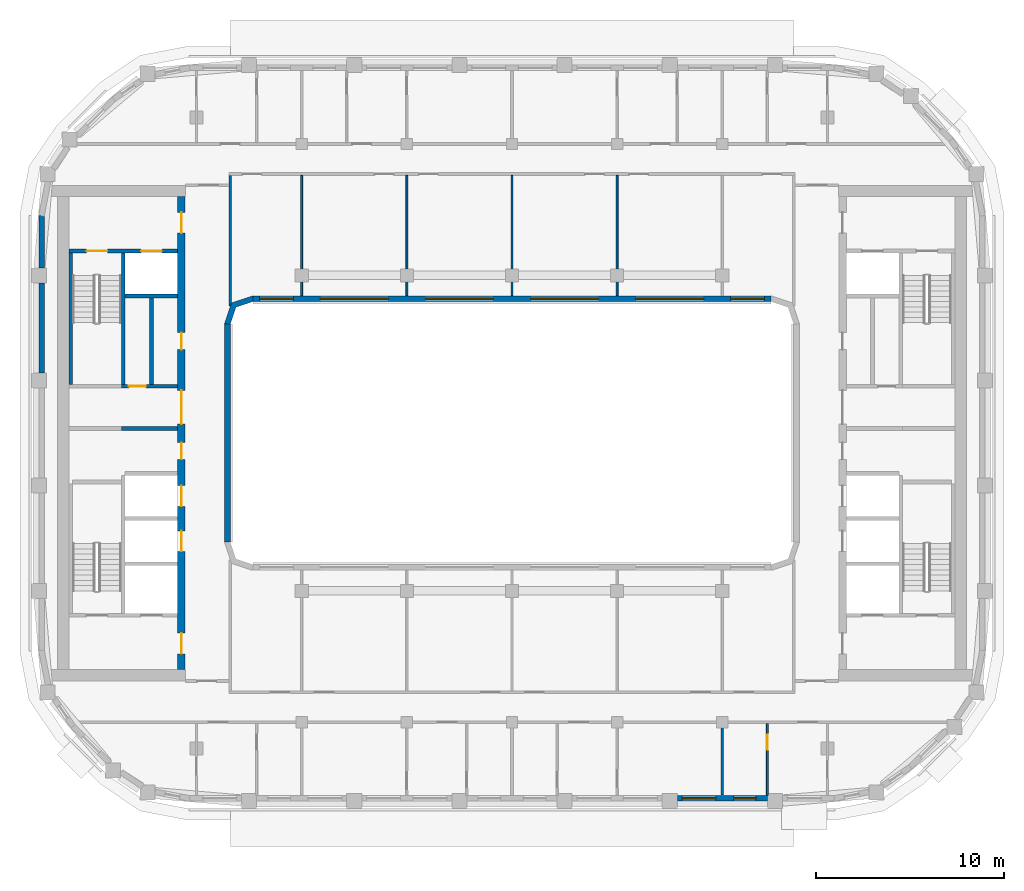
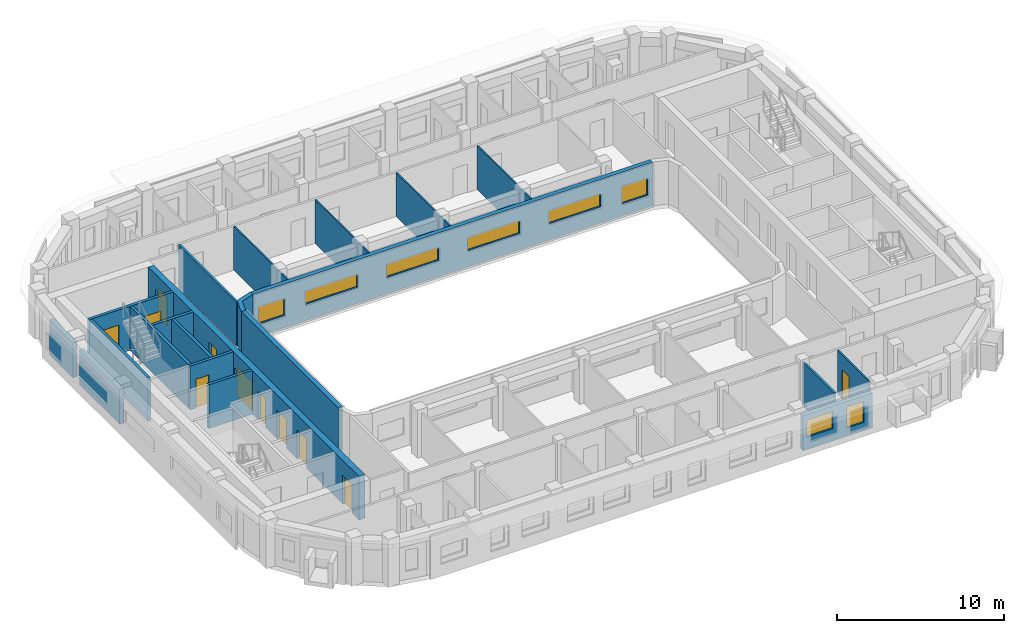
# One storey, part 4 of 15: 21 walls, 11 doors, 8 windows, 19 openings.
"""IFC4 building model written with IfcOpenShell, lengths in metres."""

from ifc_helpers import new_model, si_unit, direction, frame, frame_2d, origin, place, context, subcontext, project, spatial, polyline, rectangle, outline, extrude, material, layer, layer_set, type_object, element, fill, save


model = new_model("IFC4")

# Units and contexts
model_context = context("Model", 3, precision=1e-05, world=origin(), true_north=direction((0.0, 1.0)))
body_context = subcontext(model_context, "Body", "Model", "MODEL_VIEW")
ifc_project = project(units=[si_unit("LENGTHUNIT", "METRE"), si_unit("AREAUNIT", "SQUARE_METRE"), si_unit("VOLUMEUNIT", "CUBIC_METRE"), si_unit("PLANEANGLEUNIT", "RADIAN"), si_unit("MASSUNIT", "GRAM", prefix="KILO")], contexts=[model_context])

# Site, building, storey
site_placement = place(None, origin())
site = spatial("IfcSite", under=ifc_project, at=site_placement, CompositionType="ELEMENT")
building_placement = place(site_placement, origin())
building = spatial("IfcBuilding", under=site, at=building_placement, Name="Kiln Ring Residences", CompositionType="ELEMENT")
storey_placement = place(building_placement, frame((0.0, 0.0, 248.699951171875)))
storey = spatial("IfcBuildingStorey", under=building, at=storey_placement, Name="L64", CompositionType="ELEMENT", Elevation=248.699951171875)

# Walls
ifc_material_1 = material(Name="Gypsum board on steel studs", Category="steel")
ifc_layer_1 = layer(ifc_material_1, 0.199951171875)
ifc_layer_set_1 = layer_set([ifc_layer_1], Name="CORE-PARTITION-200")
wall_type_1 = type_object("IfcWallType", Name="CORE-PARTITION-200", PredefinedType="PARTITIONING", material=ifc_layer_set_1)
wall_1_placement = place(storey_placement, frame((-19.199951171875, 2.60009765625, 0.0), z_axis=(0.0, 0.0, 1.0), x_axis=(0.0, 1.0, 0.0)))
element("IfcWall", 1, at=wall_1_placement, inside=storey, type_object=wall_type_1, Name="Core partition west L64 2", PredefinedType="PARTITIONING", context=body_context, shape_type="SweptSolid", body=[
    extrude(rectangle(XDim=4.599853515625, YDim=0.199951171875, at=frame_2d((2.2998046875, 0.0))), origin(), (0.0, 0.0, 1.0), 3.199951171875),
])
ifc_material_2 = material(Name="Gypsum shaft wall system")
ifc_layer_2 = layer(ifc_material_2, 0.199951171875)
ifc_layer_set_2 = layer_set([ifc_layer_2], Name="CORE-SHAFT-WALL-200")
wall_type_2 = type_object("IfcWallType", Name="CORE-SHAFT-WALL-200", PredefinedType="PARTITIONING", material=ifc_layer_set_2)
wall_2_placement = place(storey_placement, frame((-17.800048828125, 0.25, 0.0), z_axis=(0.0, 0.0, 1.0), x_axis=(-1.0, 0.0, 0.0)))
element("IfcWall", 2, at=wall_2_placement, inside=storey, type_object=wall_type_2, Name="Core partition west L64 6", PredefinedType="PARTITIONING", context=body_context, shape_type="SweptSolid", body=[
    extrude(rectangle(XDim=3.0, YDim=0.199951171875, at=frame_2d((1.5, 0.0))), origin(), (0.0, 0.0, 1.0), 3.199951171875),
])

# Wall, opening, door
wall_3_placement = place(storey_placement, frame((-17.800048828125, 2.5, 0.0), z_axis=(0.0, 0.0, 1.0), x_axis=(-1.0, 0.0, 0.0)))
wall_3 = element("IfcWall", 3, at=wall_3_placement, inside=storey, type_object=wall_type_2, Name="Core partition west L64 7", PredefinedType="PARTITIONING", context=body_context, shape_type="SweptSolid", body=[
    extrude(rectangle(XDim=3.0, YDim=0.199951171875, at=frame_2d((1.5, 0.0))), origin(), (0.0, 0.0, 1.0), 3.199951171875),
])
opening_1_placement = place(wall_3_placement, frame((1.699951171875, 0.0, 0.0)))
opening_1 = element("IfcOpeningElement", 4, at=opening_1_placement, cuts=wall_3, Name="Opening L64-CW06", PredefinedType="OPENING", context=body_context, shape_type="SweptSolid", body=[
    extrude(rectangle(XDim=0.89990234375, YDim=2.10009765625, at=frame_2d((0.449951171875, 1.050048828125))), frame((0.0, 0.10986328125, 0.0), z_axis=(0.0, -1.0, 0.0), x_axis=(1.0, 0.0, 0.0)), (0.0, 0.0, 1.0), 0.219970703125),
])
ifc_material_3 = material(Name="Steel door leaf", Category="steel")
door_type_1 = type_object("IfcDoorType", Name="CORE-DOOR-ROOM", OperationType="SINGLE_SWING_LEFT", PredefinedType="DOOR", material=ifc_material_3)
door_1_placement = place(opening_1_placement, origin())
door_1 = element("IfcDoor", 5, at=door_1_placement, inside=storey, type_object=door_type_1, Name="Cleaner's store L64-CW06", OperationType="SINGLE_SWING_LEFT", OverallHeight=2.10009765625, OverallWidth=0.89990234375, PredefinedType="DOOR", context=body_context, shape_type="SweptSolid", body=[
    extrude(rectangle(XDim=0.89990234375, YDim=2.10009765625, at=frame_2d((0.449951171875, 1.050048828125))), frame((0.0, 0.02490234375, 0.0), z_axis=(0.0, -1.0, 0.0), x_axis=(1.0, 0.0, 0.0)), (0.0, 0.0, 1.0), 0.050048828125),
])
fill(opening_1, door_1)

# Walls
wall_4_placement = place(storey_placement, frame((-17.800048828125, 7.300048828125, 0.0), z_axis=(0.0, 0.0, 1.0), x_axis=(-1.0, 0.0, 0.0)))
element("IfcWall", 6, at=wall_4_placement, inside=storey, type_object=wall_type_2, Name="Core partition west L64 8", PredefinedType="PARTITIONING", context=body_context, shape_type="SweptSolid", body=[
    extrude(rectangle(XDim=2.800048828125, YDim=0.199951171875, at=frame_2d((1.39990234375, 0.0))), origin(), (0.0, 0.0, 1.0), 3.199951171875),
])
ifc_material_4 = material(Name="Concrete C40/50", Category="concrete")
ifc_layer_3 = layer(ifc_material_4, 0.199951171875)
ifc_layer_set_3 = layer_set([ifc_layer_3], Name="CORE-WALL-RC200")
wall_type_3 = type_object("IfcWallType", Name="CORE-WALL-RC200", PredefinedType="SHEAR", material=ifc_layer_set_3)
wall_5_placement = place(storey_placement, frame((-20.699951171875, 2.60009765625, 0.0), z_axis=(0.0, 0.0, 1.0), x_axis=(0.0, 1.0, 0.0)))
element("IfcWall", 7, at=wall_5_placement, inside=storey, type_object=wall_type_3, Name="Core wall west L64 1", PredefinedType="SHEAR", context=body_context, shape_type="SweptSolid", body=[
    extrude(rectangle(XDim=7.0, YDim=0.199951171875, at=frame_2d((3.5, 0.0))), origin(), (0.0, 0.0, 1.0), 3.199951171875),
])

# Wall, openings, doors
wall_6_placement = place(storey_placement, frame((-17.800048828125, 9.699951171875, 0.0), z_axis=(0.0, 0.0, 1.0), x_axis=(-1.0, 0.0, 0.0)))
wall_6 = element("IfcWall", 8, at=wall_6_placement, inside=storey, type_object=wall_type_3, Name="Core wall west L64 9", PredefinedType="SHEAR", context=body_context, shape_type="SweptSolid", body=[
    extrude(rectangle(XDim=5.800048828125, YDim=0.199951171875, at=frame_2d((2.89990234375, 0.0))), origin(), (0.0, 0.0, 1.0), 3.199951171875),
])
opening_2_placement = place(wall_6_placement, frame((0.85009765625, 0.0, 0.0)))
opening_2 = element("IfcOpeningElement", 9, at=opening_2_placement, cuts=wall_6, Name="Opening L64-CW07", PredefinedType="OPENING", context=body_context, shape_type="SweptSolid", body=[
    extrude(rectangle(XDim=1.10009765625, YDim=2.10009765625, at=frame_2d((0.550048828125, 1.050048828125))), frame((0.0, 0.10986328125, 0.0), z_axis=(0.0, -1.0, 0.0), x_axis=(1.0, 0.0, 0.0)), (0.0, 0.0, 1.0), 0.219970703125),
])
opening_3_placement = place(wall_6_placement, frame((3.75, 0.0, 0.0)))
opening_3 = element("IfcOpeningElement", 10, at=opening_3_placement, cuts=wall_6, Name="Opening L64-CW10", PredefinedType="OPENING", context=body_context, shape_type="SweptSolid", body=[
    extrude(rectangle(XDim=1.10009765625, YDim=2.10009765625, at=frame_2d((0.550048828125, 1.050048828125))), frame((0.0, 0.10986328125, 0.0), z_axis=(0.0, -1.0, 0.0), x_axis=(1.0, 0.0, 0.0)), (0.0, 0.0, 1.0), 0.219970703125),
])
ifc_material_5 = material(Name="Steel door leaf", Category="steel")
door_type_2 = type_object("IfcDoorType", Name="CORE-DOOR-LD", OperationType="DOUBLE_DOOR_SLIDING", PredefinedType="DOOR", material=ifc_material_5)
door_2_placement = place(opening_2_placement, origin())
door_2 = element("IfcDoor", 11, at=door_2_placement, inside=storey, type_object=door_type_2, Name="LD W-FF L64-CW07", OperationType="DOUBLE_DOOR_SLIDING", OverallHeight=2.10009765625, OverallWidth=1.10009765625, PredefinedType="DOOR", context=body_context, shape_type="SweptSolid", body=[
    extrude(rectangle(XDim=1.10009765625, YDim=2.10009765625, at=frame_2d((0.550048828125, 1.050048828125))), frame((0.0, 0.02490234375, 0.0), z_axis=(0.0, -1.0, 0.0), x_axis=(1.0, 0.0, 0.0)), (0.0, 0.0, 1.0), 0.050048828125),
])
fill(opening_2, door_2)
ifc_material_6 = material(Name="Steel door leaf", Category="steel")
door_type_3 = type_object("IfcDoorType", Name="CORE-DOOR-STAIR", OperationType="SINGLE_SWING_LEFT", PredefinedType="DOOR", material=ifc_material_6)
door_3_placement = place(opening_3_placement, origin())
door_3 = element("IfcDoor", 12, at=door_3_placement, inside=storey, type_object=door_type_3, Name="Stair W-STN L64-CW10", OperationType="SINGLE_SWING_RIGHT", OverallHeight=2.10009765625, OverallWidth=1.10009765625, PredefinedType="DOOR", context=body_context, shape_type="SweptSolid", body=[
    extrude(rectangle(XDim=1.10009765625, YDim=2.10009765625, at=frame_2d((0.550048828125, 1.050048828125))), frame((0.0, 0.02490234375, 0.0), z_axis=(0.0, -1.0, 0.0), x_axis=(1.0, 0.0, 0.0)), (0.0, 0.0, 1.0), 0.050048828125),
])
fill(opening_3, door_3)

# Wall
wall_7_placement = place(storey_placement, frame((-23.5, 2.60009765625, 0.0), z_axis=(0.0, 0.0, 1.0), x_axis=(0.0, 1.0, 0.0)))
element("IfcWall", 13, at=wall_7_placement, inside=storey, type_object=wall_type_3, Name="Core wall west L64 10", PredefinedType="SHEAR", context=body_context, shape_type="SweptSolid", body=[
    extrude(rectangle(XDim=7.0, YDim=0.199951171875, at=frame_2d((3.5, 0.0))), origin(), (0.0, 0.0, 1.0), 3.199951171875),
])

# Wall, openings, doors
ifc_material_7 = material(Name="Concrete C60/75", Category="concrete")
ifc_layer_4 = layer(ifc_material_7, 0.39990234375)
ifc_layer_set_4 = layer_set([ifc_layer_4], Name="CORE-WALL-RC400")
wall_type_4 = type_object("IfcWallType", Name="CORE-WALL-RC400", PredefinedType="SHEAR", material=ifc_layer_set_4)
wall_8_placement = place(storey_placement, frame((-17.60009765625, -12.60009765625, 0.0), z_axis=(0.0, 0.0, 1.0), x_axis=(0.0, 1.0, 0.0)))
wall_8 = element("IfcWall", 14, at=wall_8_placement, inside=storey, type_object=wall_type_4, Name="Core wall west L64 6", PredefinedType="SHEAR", context=body_context, shape_type="SweptSolid", body=[
    extrude(rectangle(XDim=25.2001953125, YDim=0.39990234375, at=frame_2d((12.60009765625, 0.0))), origin(), (0.0, 0.0, 1.0), 3.199951171875),
])
opening_4_placement = place(wall_8_placement, frame((6.300048828125, 0.0, 0.0)))
opening_4 = element("IfcOpeningElement", 15, at=opening_4_placement, cuts=wall_8, Name="Opening L64-CW02", PredefinedType="OPENING", context=body_context, shape_type="SweptSolid", body=[
    extrude(rectangle(XDim=1.10009765625, YDim=2.10009765625, at=frame_2d((0.550048828125, 1.050048828125))), frame((0.0, 0.2099609375, 0.0), z_axis=(0.0, -1.0, 0.0), x_axis=(1.0, 0.0, 0.0)), (0.0, 0.0, 1.0), 0.419921875),
])
opening_5_placement = place(wall_8_placement, frame((8.699951171875, 0.0, 0.0)))
opening_5 = element("IfcOpeningElement", 16, at=opening_5_placement, cuts=wall_8, Name="Opening L64-CW03", PredefinedType="OPENING", context=body_context, shape_type="SweptSolid", body=[
    extrude(rectangle(XDim=1.10009765625, YDim=2.10009765625, at=frame_2d((0.550048828125, 1.050048828125))), frame((0.0, 0.2099609375, 0.0), z_axis=(0.0, -1.0, 0.0), x_axis=(1.0, 0.0, 0.0)), (0.0, 0.0, 1.0), 0.419921875),
])
opening_6_placement = place(wall_8_placement, frame((11.199951171875, 0.0, 0.0)))
opening_6 = element("IfcOpeningElement", 17, at=opening_6_placement, cuts=wall_8, Name="Opening L64-CW04", PredefinedType="OPENING", context=body_context, shape_type="SweptSolid", body=[
    extrude(rectangle(XDim=0.89990234375, YDim=2.10009765625, at=frame_2d((0.449951171875, 1.050048828125))), frame((0.0, 0.2099609375, 0.0), z_axis=(0.0, -1.0, 0.0), x_axis=(1.0, 0.0, 0.0)), (0.0, 0.0, 1.0), 0.419921875),
])
opening_7_placement = place(wall_8_placement, frame((17.050048828125, 0.0, 0.0)))
opening_7 = element("IfcOpeningElement", 18, at=opening_7_placement, cuts=wall_8, Name="Opening L64-CW05", PredefinedType="OPENING", context=body_context, shape_type="SweptSolid", body=[
    extrude(rectangle(XDim=0.89990234375, YDim=2.10009765625, at=frame_2d((0.449951171875, 1.050048828125))), frame((0.0, 0.2099609375, 0.0), z_axis=(0.0, -1.0, 0.0), x_axis=(1.0, 0.0, 0.0)), (0.0, 0.0, 1.0), 0.419921875),
])
opening_8_placement = place(wall_8_placement, frame((23.25, 0.0, 0.0)))
opening_8 = element("IfcOpeningElement", 19, at=opening_8_placement, cuts=wall_8, Name="Opening L64-CW08", PredefinedType="OPENING", context=body_context, shape_type="SweptSolid", body=[
    extrude(rectangle(XDim=1.10009765625, YDim=2.10009765625, at=frame_2d((0.550048828125, 1.050048828125))), frame((0.0, 0.2099609375, 0.0), z_axis=(0.0, -1.0, 0.0), x_axis=(1.0, 0.0, 0.0)), (0.0, 0.0, 1.0), 0.419921875),
])
opening_9_placement = place(wall_8_placement, frame((0.85009765625, 0.0, 0.0)))
opening_9 = element("IfcOpeningElement", 20, at=opening_9_placement, cuts=wall_8, Name="Opening L64-CW09", PredefinedType="OPENING", context=body_context, shape_type="SweptSolid", body=[
    extrude(rectangle(XDim=1.10009765625, YDim=2.10009765625, at=frame_2d((0.550048828125, 1.050048828125))), frame((0.0, 0.2099609375, 0.0), z_axis=(0.0, -1.0, 0.0), x_axis=(1.0, 0.0, 0.0)), (0.0, 0.0, 1.0), 0.419921875),
])
opening_10_placement = place(wall_8_placement, frame((13.074951171875, 0.0, 0.0)))
opening_10 = element("IfcOpeningElement", 21, at=opening_10_placement, cuts=wall_8, Name="Opening L64-CW12", PredefinedType="OPENING", context=body_context, shape_type="SweptSolid", body=[
    extrude(rectangle(XDim=1.800048828125, YDim=2.10009765625, at=frame_2d((0.89990234375, 1.050048828125))), frame((0.0, 0.2099609375, 0.0), z_axis=(0.0, -1.0, 0.0), x_axis=(1.0, 0.0, 0.0)), (0.0, 0.0, 1.0), 0.419921875),
])
door_4_placement = place(opening_4_placement, origin())
door_4 = element("IfcDoor", 22, at=door_4_placement, inside=storey, type_object=door_type_2, Name="LD W-H1 L64-CW02", OperationType="DOUBLE_DOOR_SLIDING", OverallHeight=2.10009765625, OverallWidth=1.10009765625, PredefinedType="DOOR", context=body_context, shape_type="SweptSolid", body=[
    extrude(rectangle(XDim=1.10009765625, YDim=2.10009765625, at=frame_2d((0.550048828125, 1.050048828125))), frame((0.0, 0.02490234375, 0.0), z_axis=(0.0, -1.0, 0.0), x_axis=(1.0, 0.0, 0.0)), (0.0, 0.0, 1.0), 0.050048828125),
])
fill(opening_4, door_4)
door_5_placement = place(opening_5_placement, origin())
door_5 = element("IfcDoor", 23, at=door_5_placement, inside=storey, type_object=door_type_2, Name="LD W-H2 L64-CW03", OperationType="DOUBLE_DOOR_SLIDING", OverallHeight=2.10009765625, OverallWidth=1.10009765625, PredefinedType="DOOR", context=body_context, shape_type="SweptSolid", body=[
    extrude(rectangle(XDim=1.10009765625, YDim=2.10009765625, at=frame_2d((0.550048828125, 1.050048828125))), frame((0.0, 0.02490234375, 0.0), z_axis=(0.0, -1.0, 0.0), x_axis=(1.0, 0.0, 0.0)), (0.0, 0.0, 1.0), 0.050048828125),
])
fill(opening_5, door_5)
ifc_material_8 = material(Name="Steel door leaf", Category="steel")
door_type_4 = type_object("IfcDoorType", Name="CORE-DOOR-LOBBY", OperationType="SINGLE_SWING_LEFT", PredefinedType="DOOR", material=ifc_material_8)
door_6_placement = place(opening_8_placement, origin())
door_6 = element("IfcDoor", 24, at=door_6_placement, inside=storey, type_object=door_type_4, Name="FFL L64-CW08", OperationType="SINGLE_SWING_LEFT", OverallHeight=2.10009765625, OverallWidth=1.10009765625, PredefinedType="DOOR", context=body_context, shape_type="SweptSolid", body=[
    extrude(rectangle(XDim=1.10009765625, YDim=2.10009765625, at=frame_2d((0.550048828125, 1.050048828125))), frame((0.0, 0.02490234375, 0.0), z_axis=(0.0, -1.0, 0.0), x_axis=(1.0, 0.0, 0.0)), (0.0, 0.0, 1.0), 0.050048828125),
])
fill(opening_8, door_6)
door_7_placement = place(opening_9_placement, origin())
door_7 = element("IfcDoor", 25, at=door_7_placement, inside=storey, type_object=door_type_4, Name="SVL L64-CW09", OperationType="SINGLE_SWING_RIGHT", OverallHeight=2.10009765625, OverallWidth=1.10009765625, PredefinedType="DOOR", context=body_context, shape_type="SweptSolid", body=[
    extrude(rectangle(XDim=1.10009765625, YDim=2.10009765625, at=frame_2d((0.550048828125, 1.050048828125))), frame((0.0, 0.02490234375, 0.0), z_axis=(0.0, -1.0, 0.0), x_axis=(1.0, 0.0, 0.0)), (0.0, 0.0, 1.0), 0.050048828125),
])
fill(opening_9, door_7)
ifc_material_9 = material(Name="Steel door leaf", Category="steel")
door_type_5 = type_object("IfcDoorType", Name="CORE-DOOR-PASS", OperationType="DOUBLE_DOOR_SINGLE_SWING", PredefinedType="DOOR", material=ifc_material_9)
door_8_placement = place(opening_10_placement, origin())
door_8 = element("IfcDoor", 26, at=door_8_placement, inside=storey, type_object=door_type_5, Name="Core passage L64-CW12", OperationType="DOUBLE_DOOR_SINGLE_SWING", OverallHeight=2.10009765625, OverallWidth=1.800048828125, PredefinedType="DOOR", context=body_context, shape_type="SweptSolid", body=[
    extrude(rectangle(XDim=1.800048828125, YDim=2.10009765625, at=frame_2d((0.89990234375, 1.050048828125))), frame((0.0, 0.02490234375, 0.0), z_axis=(0.0, -1.0, 0.0), x_axis=(1.0, 0.0, 0.0)), (0.0, 0.0, 1.0), 0.050048828125),
])
fill(opening_10, door_8)
door_9_placement = place(opening_6_placement, origin())
door_9 = element("IfcDoor", 27, at=door_9_placement, inside=storey, type_object=door_type_1, Name="Parcel room L64-CW04", OperationType="SINGLE_SWING_RIGHT", OverallHeight=2.10009765625, OverallWidth=0.89990234375, PredefinedType="DOOR", context=body_context, shape_type="SweptSolid", body=[
    extrude(rectangle(XDim=0.89990234375, YDim=2.10009765625, at=frame_2d((0.449951171875, 1.050048828125))), frame((0.0, 0.02490234375, 0.0), z_axis=(0.0, -1.0, 0.0), x_axis=(1.0, 0.0, 0.0)), (0.0, 0.0, 1.0), 0.050048828125),
])
fill(opening_6, door_9)
door_10_placement = place(opening_7_placement, origin())
door_10 = element("IfcDoor", 28, at=door_10_placement, inside=storey, type_object=door_type_1, Name="Storage room L64-CW05", OperationType="SINGLE_SWING_LEFT", OverallHeight=2.10009765625, OverallWidth=0.89990234375, PredefinedType="DOOR", context=body_context, shape_type="SweptSolid", body=[
    extrude(rectangle(XDim=0.89990234375, YDim=2.10009765625, at=frame_2d((0.449951171875, 1.050048828125))), frame((0.0, 0.02490234375, 0.0), z_axis=(0.0, -1.0, 0.0), x_axis=(1.0, 0.0, 0.0)), (0.0, 0.0, 1.0), 0.050048828125),
])
fill(opening_7, door_10)

# Wall, openings, windows
ifc_material_10 = material(Name="Brick masonry, dark clay brick", Category="masonry")
ifc_layer_5 = layer(ifc_material_10, 0.300048828125)
ifc_layer_set_5 = layer_set([ifc_layer_5], Name="EW-300 BRICK WALL")
wall_type_5 = type_object("IfcWallType", Name="EW-300 BRICK WALL", PredefinedType="SOLIDWALL", material=ifc_layer_set_5)
wall_9_placement = place(storey_placement, frame((8.800048828125, -19.449951171875, 0.0), z_axis=(0.0, 0.0, 1.0), x_axis=(1.0, 0.0, 0.0)))
wall_9 = element("IfcWall", 29, at=wall_9_placement, inside=storey, type_object=wall_type_5, Name="Facade wall L64 9", PredefinedType="SOLIDWALL", context=body_context, shape_type="SweptSolid", body=[
    extrude(rectangle(XDim=4.800048828125, YDim=0.300048828125, at=frame_2d((2.39990234375, 0.0))), origin(), (0.0, 0.0, 1.0), 2.550048828125),
])
opening_11_placement = place(wall_9_placement, frame((0.262451171875, 0.0, 0.89990234375)))
opening_11 = element("IfcOpeningElement", 30, at=opening_11_placement, cuts=wall_9, Name="Opening W2", PredefinedType="OPENING", context=body_context, shape_type="SweptSolid", body=[
    extrude(rectangle(XDim=1.800048828125, YDim=1.25, at=frame_2d((0.89990234375, 0.625))), frame((0.0, 0.159912109375, 0.0), z_axis=(0.0, -1.0, 0.0), x_axis=(1.0, 0.0, 0.0)), (0.0, 0.0, 1.0), 0.320068359375),
])
opening_12_placement = place(wall_9_placement, frame((3.0, 0.0, 0.60009765625)))
opening_12 = element("IfcOpeningElement", 31, at=opening_12_placement, cuts=wall_9, Name="Opening W1", PredefinedType="OPENING", context=body_context, shape_type="SweptSolid", body=[
    extrude(rectangle(XDim=1.199951171875, YDim=1.550048828125, at=frame_2d((0.60009765625, 0.77490234375))), frame((0.0, 0.159912109375, 0.0), z_axis=(0.0, -1.0, 0.0), x_axis=(1.0, 0.0, 0.0)), (0.0, 0.0, 1.0), 0.320068359375),
])
ifc_material_11 = material(Name="Aluminium frame with double glazing", Category="aluminium")
window_type_1 = type_object("IfcWindowType", Name="WINDOW 1200 x 1550", PartitioningType="SINGLE_PANEL", PredefinedType="WINDOW", material=ifc_material_11)
window_1_placement = place(opening_12_placement, origin())
window_1 = element("IfcWindow", 32, at=window_1_placement, inside=storey, type_object=window_type_1, Name="Window L64 13", OverallHeight=1.550048828125, OverallWidth=1.199951171875, PartitioningType="SINGLE_PANEL", PredefinedType="WINDOW", context=body_context, shape_type="SweptSolid", body=[
    extrude(rectangle(XDim=1.199951171875, YDim=1.550048828125, at=frame_2d((0.60009765625, 0.77490234375))), frame((0.0, 0.030029296875, 0.0), z_axis=(0.0, -1.0, 0.0), x_axis=(1.0, 0.0, 0.0)), (0.0, 0.0, 1.0), 0.06005859375),
])
fill(opening_12, window_1)
ifc_material_12 = material(Name="Aluminium frame with double glazing", Category="aluminium")
window_type_2 = type_object("IfcWindowType", Name="WINDOW 1800 x 1250", PartitioningType="SINGLE_PANEL", PredefinedType="WINDOW", material=ifc_material_12)
window_2_placement = place(opening_11_placement, origin())
window_2 = element("IfcWindow", 33, at=window_2_placement, inside=storey, type_object=window_type_2, Name="Window L64 12", OverallHeight=1.25, OverallWidth=1.800048828125, PartitioningType="SINGLE_PANEL", PredefinedType="WINDOW", context=body_context, shape_type="SweptSolid", body=[
    extrude(rectangle(XDim=1.800048828125, YDim=1.25, at=frame_2d((0.89990234375, 0.625))), frame((0.0, 0.030029296875, 0.0), z_axis=(0.0, -1.0, 0.0), x_axis=(1.0, 0.0, 0.0)), (0.0, 0.0, 1.0), 0.06005859375),
])
fill(opening_11, window_2)

# Walls
wall_10_placement = place(storey_placement, frame((-25.050048828125, 11.60009765625, 0.0), z_axis=(0.0, 0.0, 1.0), x_axis=(0.0, -1.0, 0.0)))
element("IfcWall", 34, at=wall_10_placement, inside=storey, type_object=wall_type_5, Name="Facade wall L64 38", PredefinedType="SOLIDWALL", context=body_context, shape_type="SweptSolid", body=[
    extrude(rectangle(XDim=2.800048828125, YDim=0.300048828125, at=frame_2d((1.39990234375, 0.0))), origin(), (0.0, 0.0, 1.0), 2.550048828125),
])
wall_11_placement = place(storey_placement, frame((-25.050048828125, 8.0, 0.0), z_axis=(0.0, 0.0, 1.0), x_axis=(0.0, -1.0, 0.0)))
element("IfcWall", 35, at=wall_11_placement, inside=storey, type_object=wall_type_5, Name="Facade wall L64 39", PredefinedType="SOLIDWALL", context=body_context, shape_type="SweptSolid", body=[
    extrude(rectangle(XDim=4.800048828125, YDim=0.300048828125, at=frame_2d((2.39990234375, 0.0))), origin(), (0.0, 0.0, 1.0), 2.550048828125),
])
wall_12_placement = place(storey_placement, frame((-15.14990234375, -5.800048828125, 0.0), z_axis=(0.0, 0.0, 1.0), x_axis=(0.0, 1.0, 0.0)))
element("IfcWall", 36, at=wall_12_placement, inside=storey, type_object=wall_type_5, Name="Facade wall L64 45", PredefinedType="SOLIDWALL", context=body_context, shape_type="SweptSolid", body=[
    extrude(rectangle(XDim=11.60009765625, YDim=0.300048828125, at=frame_2d((5.800048828125, 0.0))), origin(), (0.0, 0.0, 1.0), 3.199951171875),
])

# Wall, openings, windows
wall_13_placement = place(storey_placement, frame((-13.800048828125, 7.14990234375, 0.0), z_axis=(0.0, 0.0, 1.0), x_axis=(1.0, 0.0, 0.0)))
wall_13 = element("IfcWall", 37, at=wall_13_placement, inside=storey, type_object=wall_type_5, Name="Facade wall L64 46", PredefinedType="SOLIDWALL", context=body_context, shape_type="SweptSolid", body=[
    extrude(rectangle(XDim=27.60009765625, YDim=0.300048828125, at=frame_2d((13.800048828125, 0.0))), origin(), (0.0, 0.0, 1.0), 3.199951171875),
])
opening_13_placement = place(wall_13_placement, frame((0.362548828125, 0.0, 0.89990234375)))
opening_13 = element("IfcOpeningElement", 38, at=opening_13_placement, cuts=wall_13, Name="Opening W2", PredefinedType="OPENING", context=body_context, shape_type="SweptSolid", body=[
    extrude(rectangle(XDim=1.800048828125, YDim=1.25, at=frame_2d((0.89990234375, 0.625))), frame((0.0, 0.159912109375, 0.0), z_axis=(0.0, -1.0, 0.0), x_axis=(1.0, 0.0, 0.0)), (0.0, 0.0, 1.0), 0.320068359375),
])
opening_14_placement = place(wall_13_placement, frame((3.60009765625, 0.0, 1.199951171875)))
opening_14 = element("IfcOpeningElement", 39, at=opening_14_placement, cuts=wall_13, Name="Opening W4", PredefinedType="OPENING", context=body_context, shape_type="SweptSolid", body=[
    extrude(rectangle(XDim=3.60009765625, YDim=0.949951171875, at=frame_2d((1.800048828125, 0.47509765625))), frame((0.0, 0.159912109375, 0.0), z_axis=(0.0, -1.0, 0.0), x_axis=(1.0, 0.0, 0.0)), (0.0, 0.0, 1.0), 0.320068359375),
])
opening_15_placement = place(wall_13_placement, frame((9.199951171875, 0.0, 1.199951171875)))
opening_15 = element("IfcOpeningElement", 40, at=opening_15_placement, cuts=wall_13, Name="Opening W4", PredefinedType="OPENING", context=body_context, shape_type="SweptSolid", body=[
    extrude(rectangle(XDim=3.60009765625, YDim=0.949951171875, at=frame_2d((1.800048828125, 0.47509765625))), frame((0.0, 0.159912109375, 0.0), z_axis=(0.0, -1.0, 0.0), x_axis=(1.0, 0.0, 0.0)), (0.0, 0.0, 1.0), 0.320068359375),
])
opening_16_placement = place(wall_13_placement, frame((14.800048828125, 0.0, 1.199951171875)))
opening_16 = element("IfcOpeningElement", 41, at=opening_16_placement, cuts=wall_13, Name="Opening W4", PredefinedType="OPENING", context=body_context, shape_type="SweptSolid", body=[
    extrude(rectangle(XDim=3.60009765625, YDim=0.949951171875, at=frame_2d((1.800048828125, 0.47509765625))), frame((0.0, 0.159912109375, 0.0), z_axis=(0.0, -1.0, 0.0), x_axis=(1.0, 0.0, 0.0)), (0.0, 0.0, 1.0), 0.320068359375),
])
opening_17_placement = place(wall_13_placement, frame((20.39990234375, 0.0, 1.199951171875)))
opening_17 = element("IfcOpeningElement", 42, at=opening_17_placement, cuts=wall_13, Name="Opening W4", PredefinedType="OPENING", context=body_context, shape_type="SweptSolid", body=[
    extrude(rectangle(XDim=3.60009765625, YDim=0.949951171875, at=frame_2d((1.800048828125, 0.47509765625))), frame((0.0, 0.159912109375, 0.0), z_axis=(0.0, -1.0, 0.0), x_axis=(1.0, 0.0, 0.0)), (0.0, 0.0, 1.0), 0.320068359375),
])
opening_18_placement = place(wall_13_placement, frame((25.4375, 0.0, 0.89990234375)))
opening_18 = element("IfcOpeningElement", 43, at=opening_18_placement, cuts=wall_13, Name="Opening W2", PredefinedType="OPENING", context=body_context, shape_type="SweptSolid", body=[
    extrude(rectangle(XDim=1.800048828125, YDim=1.25, at=frame_2d((0.89990234375, 0.625))), frame((0.0, 0.159912109375, 0.0), z_axis=(0.0, -1.0, 0.0), x_axis=(1.0, 0.0, 0.0)), (0.0, 0.0, 1.0), 0.320068359375),
])
window_3_placement = place(opening_13_placement, origin())
window_3 = element("IfcWindow", 44, at=window_3_placement, inside=storey, type_object=window_type_2, Name="Window L64 37", OverallHeight=1.25, OverallWidth=1.800048828125, PartitioningType="SINGLE_PANEL", PredefinedType="WINDOW", context=body_context, shape_type="SweptSolid", body=[
    extrude(rectangle(XDim=1.800048828125, YDim=1.25, at=frame_2d((0.89990234375, 0.625))), frame((0.0, 0.030029296875, 0.0), z_axis=(0.0, -1.0, 0.0), x_axis=(1.0, 0.0, 0.0)), (0.0, 0.0, 1.0), 0.06005859375),
])
fill(opening_13, window_3)
window_4_placement = place(opening_18_placement, origin())
window_4 = element("IfcWindow", 45, at=window_4_placement, inside=storey, type_object=window_type_2, Name="Window L64 42", OverallHeight=1.25, OverallWidth=1.800048828125, PartitioningType="SINGLE_PANEL", PredefinedType="WINDOW", context=body_context, shape_type="SweptSolid", body=[
    extrude(rectangle(XDim=1.800048828125, YDim=1.25, at=frame_2d((0.89990234375, 0.625))), frame((0.0, 0.030029296875, 0.0), z_axis=(0.0, -1.0, 0.0), x_axis=(1.0, 0.0, 0.0)), (0.0, 0.0, 1.0), 0.06005859375),
])
fill(opening_18, window_4)
ifc_material_13 = material(Name="Aluminium frame with double glazing", Category="aluminium")
window_type_3 = type_object("IfcWindowType", Name="WINDOW 3600 x 950", PartitioningType="SINGLE_PANEL", PredefinedType="WINDOW", material=ifc_material_13)
window_5_placement = place(opening_14_placement, origin())
window_5 = element("IfcWindow", 46, at=window_5_placement, inside=storey, type_object=window_type_3, Name="Window L64 38", OverallHeight=0.949951171875, OverallWidth=3.60009765625, PartitioningType="SINGLE_PANEL", PredefinedType="WINDOW", context=body_context, shape_type="SweptSolid", body=[
    extrude(rectangle(XDim=3.60009765625, YDim=0.949951171875, at=frame_2d((1.800048828125, 0.47509765625))), frame((0.0, 0.030029296875, 0.0), z_axis=(0.0, -1.0, 0.0), x_axis=(1.0, 0.0, 0.0)), (0.0, 0.0, 1.0), 0.06005859375),
])
fill(opening_14, window_5)
window_6_placement = place(opening_15_placement, origin())
window_6 = element("IfcWindow", 47, at=window_6_placement, inside=storey, type_object=window_type_3, Name="Window L64 39", OverallHeight=0.949951171875, OverallWidth=3.60009765625, PartitioningType="SINGLE_PANEL", PredefinedType="WINDOW", context=body_context, shape_type="SweptSolid", body=[
    extrude(rectangle(XDim=3.60009765625, YDim=0.949951171875, at=frame_2d((1.800048828125, 0.47509765625))), frame((0.0, 0.030029296875, 0.0), z_axis=(0.0, -1.0, 0.0), x_axis=(1.0, 0.0, 0.0)), (0.0, 0.0, 1.0), 0.06005859375),
])
fill(opening_15, window_6)
window_7_placement = place(opening_16_placement, origin())
window_7 = element("IfcWindow", 48, at=window_7_placement, inside=storey, type_object=window_type_3, Name="Window L64 40", OverallHeight=0.949951171875, OverallWidth=3.60009765625, PartitioningType="SINGLE_PANEL", PredefinedType="WINDOW", context=body_context, shape_type="SweptSolid", body=[
    extrude(rectangle(XDim=3.60009765625, YDim=0.949951171875, at=frame_2d((1.800048828125, 0.47509765625))), frame((0.0, 0.030029296875, 0.0), z_axis=(0.0, -1.0, 0.0), x_axis=(1.0, 0.0, 0.0)), (0.0, 0.0, 1.0), 0.06005859375),
])
fill(opening_16, window_7)
window_8_placement = place(opening_17_placement, origin())
window_8 = element("IfcWindow", 49, at=window_8_placement, inside=storey, type_object=window_type_3, Name="Window L64 41", OverallHeight=0.949951171875, OverallWidth=3.60009765625, PartitioningType="SINGLE_PANEL", PredefinedType="WINDOW", context=body_context, shape_type="SweptSolid", body=[
    extrude(rectangle(XDim=3.60009765625, YDim=0.949951171875, at=frame_2d((1.800048828125, 0.47509765625))), frame((0.0, 0.030029296875, 0.0), z_axis=(0.0, -1.0, 0.0), x_axis=(1.0, 0.0, 0.0)), (0.0, 0.0, 1.0), 0.06005859375),
])
fill(opening_17, window_8)

# Walls
wall_14_placement = place(storey_placement, origin())
element("IfcWall", 50, at=wall_14_placement, inside=storey, type_object=wall_type_5, Name="Corner wall L64 1", PredefinedType="SOLIDWALL", context=body_context, shape_type="SweptSolid", body=[
    extrude(outline(polyline([(-13.8486328125, 7.300048828125), (-14.937255859375, 6.937255859375), (-15.300048828125, 5.8486328125), (-15.300048828125, 5.800048828125), (-15.0, 5.800048828125), (-14.699951171875, 6.699951171875), (-13.800048828125, 7.0), (-13.800048828125, 7.300048828125), (-13.8486328125, 7.300048828125)])), origin(), (0.0, 0.0, 1.0), 3.199951171875),
])
ifc_material_14 = material(Name="Gypsum board on steel studs", Category="steel")
ifc_layer_6 = layer(ifc_material_14, 0.10009765625)
ifc_layer_set_6 = layer_set([ifc_layer_6], Name="PARTITION-100")
wall_type_6 = type_object("IfcWallType", Name="PARTITION-100", PredefinedType="PARTITIONING", material=ifc_layer_set_6)
for number, where, z_axis, x_axis, name in (
    (51, (-11.199951171875, 7.320068359375, 0.0), (0.0, 0.0, 1.0), (0.0, 1.0, 0.0), "Partition 015"),
    (52, (-5.60009765625, 7.320068359375, 0.0), (0.0, 0.0, 1.0), (0.0, 1.0, 0.0), "Partition 021"),
    (53, (0.0, 7.320068359375, 0.0), (0.0, 0.0, 1.0), (0.0, 1.0, 0.0), "Partition 025"),
    (54, (5.60009765625, 7.320068359375, 0.0), (0.0, 0.0, 1.0), (0.0, 1.0, 0.0), "Partition 031"),
):
    element("IfcWall", number, at=place(storey_placement, frame(where, z_axis=z_axis, x_axis=x_axis)), inside=storey, type_object=wall_type_6, Name=name, PredefinedType="PARTITIONING", context=body_context, shape_type="SweptSolid", body=[
        extrude(rectangle(XDim=6.405029296875, YDim=0.10009765625, at=frame_2d((3.20263671875, 0.0))), origin(), (0.0, 0.0, 1.0), 3.199951171875),
    ])

# Wall, opening, door
wall_15_placement = place(storey_placement, frame((13.60009765625, -19.280029296875, 0.0), z_axis=(0.0, 0.0, 1.0), x_axis=(0.0, 1.0, 0.0)))
wall_15 = element("IfcWall", 55, at=wall_15_placement, inside=storey, type_object=wall_type_6, Name="Partition 038", PredefinedType="PARTITIONING", context=body_context, shape_type="SweptSolid", body=[
    extrude(rectangle(XDim=3.804931640625, YDim=0.10009765625, at=frame_2d((1.90234375, 0.0))), origin(), (0.0, 0.0, 1.0), 3.199951171875),
])
opening_19_placement = place(wall_15_placement, frame((2.428955078125, 0.0, 0.0)))
opening_19 = element("IfcOpeningElement", 56, at=opening_19_placement, cuts=wall_15, Name="Opening L64-D039", PredefinedType="OPENING", context=body_context, shape_type="SweptSolid", body=[
    extrude(rectangle(XDim=0.800048828125, YDim=2.10009765625, at=frame_2d((0.39990234375, 1.050048828125))), frame((0.0, 0.06005859375, 0.0), z_axis=(0.0, -1.0, 0.0), x_axis=(1.0, 0.0, 0.0)), (0.0, 0.0, 1.0), 0.1201171875),
])
ifc_material_15 = material(Name="Timber door leaf", Category="wood")
door_type_6 = type_object("IfcDoorType", Name="FLAT-DOOR-800-PL", OperationType="SINGLE_SWING_LEFT", PredefinedType="DOOR", material=ifc_material_15)
door_11_placement = place(opening_19_placement, origin())
door_11 = element("IfcDoor", 57, at=door_11_placement, inside=storey, type_object=door_type_6, Name="Door L64-D039", OperationType="SINGLE_SWING_LEFT", OverallHeight=2.10009765625, OverallWidth=0.800048828125, PredefinedType="DOOR", context=body_context, shape_type="SweptSolid", body=[
    extrude(rectangle(XDim=0.800048828125, YDim=2.10009765625, at=frame_2d((0.39990234375, 1.050048828125))), frame((0.0, 0.02490234375, 0.0), z_axis=(0.0, -1.0, 0.0), x_axis=(1.0, 0.0, 0.0)), (0.0, 0.0, 1.0), 0.050048828125),
])
fill(opening_19, door_11)

# Walls
ifc_material_16 = material(Name="Brick masonry partition", Category="masonry")
ifc_layer_7 = layer(ifc_material_16, 0.14990234375)
ifc_layer_set_7 = layer_set([ifc_layer_7], Name="PARTITION-150-ei60")
wall_type_7 = type_object("IfcWallType", Name="PARTITION-150-ei60", PredefinedType="PARTITIONING", material=ifc_layer_set_7)
wall_16_placement = place(storey_placement, frame((-15.0, 6.768798828125, 0.0), z_axis=(0.0, 0.0, 1.0), x_axis=(0.0, 1.0, 0.0)))
element("IfcWall", 58, at=wall_16_placement, inside=storey, type_object=wall_type_7, Name="Partition 011", PredefinedType="PARTITIONING", context=body_context, shape_type="SweptSolid", body=[
    extrude(rectangle(XDim=6.956298828125, YDim=0.14990234375, at=frame_2d((3.47802734375, 0.0))), origin(), (0.0, 0.0, 1.0), 3.199951171875),
])
wall_17_placement = place(storey_placement, frame((11.199951171875, -19.280029296875, 0.0), z_axis=(0.0, 0.0, 1.0), x_axis=(0.0, 1.0, 0.0)))
element("IfcWall", 59, at=wall_17_placement, inside=storey, type_object=wall_type_7, Name="Partition 036", PredefinedType="PARTITIONING", context=body_context, shape_type="SweptSolid", body=[
    extrude(rectangle(XDim=3.804931640625, YDim=0.14990234375, at=frame_2d((1.90234375, 0.0))), origin(), (0.0, 0.0, 1.0), 3.199951171875),
])

save(model, "model.ifc")
